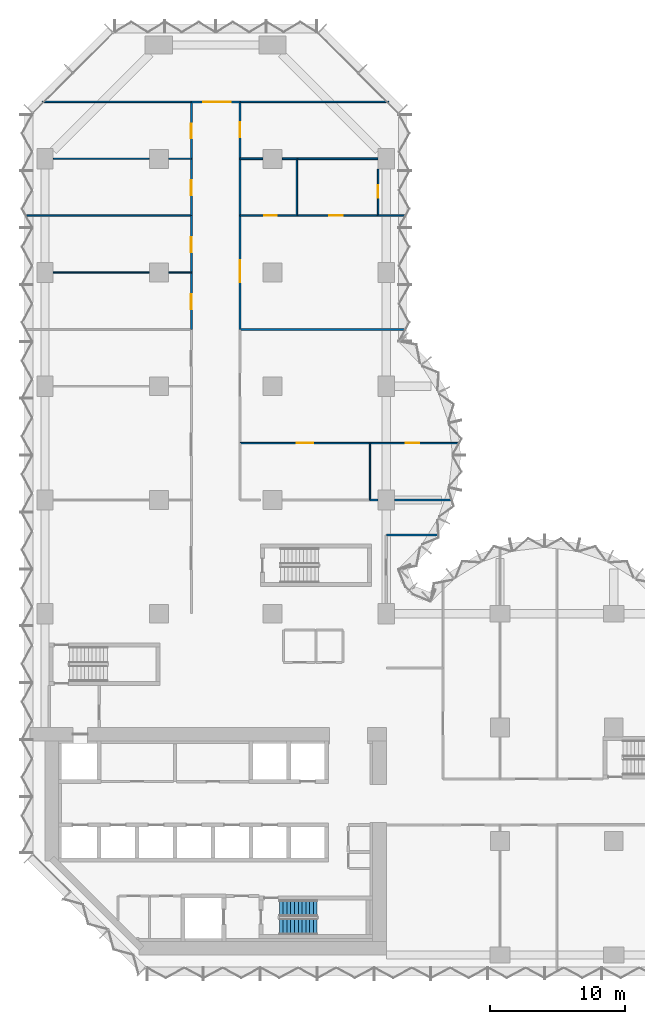
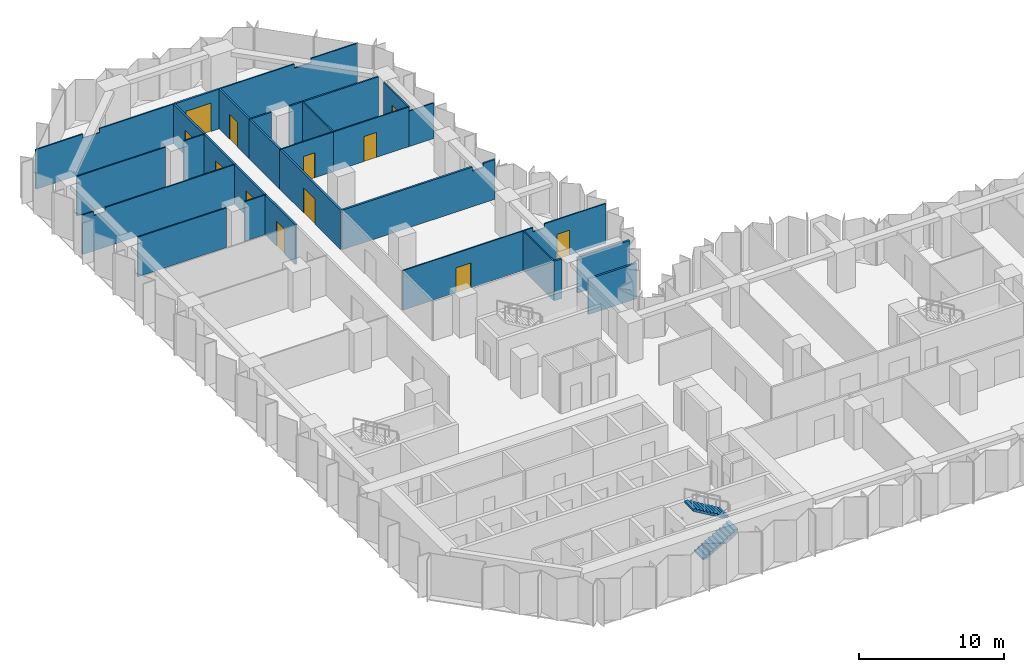
# One storey, part 11 of 15: 30 walls, 12 doors, 2 stair flights, 12 openings, 1 element without a shape of its own.
"""IFC4 building model written with IfcOpenShell, lengths in metres."""

from ifc_helpers import new_model, si_unit, direction, frame, frame_2d, origin, place, context, subcontext, project, spatial, polyline, rectangle, outline, extrude, material, layer, layer_set, type_object, element, fill, aggregate, save


model = new_model("IFC4")

# Units and contexts
model_context = context("Model", 3, precision=1e-05, world=origin(), true_north=direction((0.0, 1.0)))
body_context = subcontext(model_context, "Body", "Model", "MODEL_VIEW")
ifc_project = project(units=[si_unit("LENGTHUNIT", "METRE"), si_unit("AREAUNIT", "SQUARE_METRE"), si_unit("VOLUMEUNIT", "CUBIC_METRE"), si_unit("PLANEANGLEUNIT", "RADIAN"), si_unit("MASSUNIT", "GRAM", prefix="KILO")], contexts=[model_context])

# Site, building, storey
site_placement = place(None, origin())
site = spatial("IfcSite", under=ifc_project, at=site_placement, CompositionType="ELEMENT")
building_placement = place(site_placement, origin())
building = spatial("IfcBuilding", under=site, at=building_placement, Name="Brevane Broadcast Tower", CompositionType="ELEMENT")
storey_placement = place(building_placement, frame((0.0, 0.0, 76.10009765625)))
storey = spatial("IfcBuildingStorey", under=building, at=storey_placement, Name="L17", CompositionType="ELEMENT", Elevation=76.10009765625)

# Walls
ifc_material_1 = material(Name="Gypsum board partition")
ifc_layer_1 = layer(ifc_material_1, 0.10009765625)
ifc_layer_set_1 = layer_set([ifc_layer_1], Name="PARTITION 100 STUD")
wall_type_1 = type_object("IfcWallType", Name="PARTITION 100 STUD", PredefinedType="PARTITIONING", material=ifc_layer_set_1)
wall_1_placement = place(storey_placement, frame((10.800048828125, 63.0, 0.0), z_axis=(0.0, 0.0, 1.0), x_axis=(-1.0, 0.0, 0.0)))
element("IfcWall", 1, at=wall_1_placement, inside=storey, type_object=wall_type_1, Name="Partition G04-054", PredefinedType="PARTITIONING", context=body_context, shape_type="SweptSolid", body=[
    extrude(outline(polyline([(0.0, 0.0), (11.0, 0.0), (11.0, 3.329833984375), (7.265625, 3.329833984375), (7.263671875, 2.97998046875), (5.936279296875, 2.97998046875), (5.934326171875, 3.329833984375), (0.0, 3.329833984375), (0.0, 0.0)])), frame((0.0, 0.050048828125, 0.0), z_axis=(0.0, -1.0, 0.0), x_axis=(1.0, 0.0, 0.0)), (0.0, 0.0, 1.0), 0.10009765625),
])
wall_2_placement = place(storey_placement, frame((25.39990234375, 63.0, 0.0), z_axis=(0.0, 0.0, 1.0), x_axis=(-1.0, 0.0, 0.0)))
element("IfcWall", 2, at=wall_2_placement, inside=storey, type_object=wall_type_1, Name="Partition G04-055", PredefinedType="PARTITIONING", context=body_context, shape_type="SweptSolid", body=[
    extrude(outline(polyline([(0.0, 0.0), (11.0, 0.0), (11.0, 3.329833984375), (5.065673828125, 3.329833984375), (5.063720703125, 2.97998046875), (3.736328125, 2.97998046875), (3.734375, 3.329833984375), (0.0, 3.329833984375), (0.0, 0.0)])), frame((0.0, 0.050048828125, 0.0), z_axis=(0.0, -1.0, 0.0), x_axis=(1.0, 0.0, 0.0)), (0.0, 0.0, 1.0), 0.10009765625),
])
wall_3_placement = place(storey_placement, frame((0.6201171875, 50.39990234375, 0.0), z_axis=(0.0, 0.0, 1.0), x_axis=(1.0, 0.0, 0.0)))
element("IfcWall", 3, at=wall_3_placement, inside=storey, type_object=wall_type_1, Name="Partition G04-061", PredefinedType="PARTITIONING", context=body_context, shape_type="SweptSolid", body=[
    extrude(rectangle(XDim=7.059814453125, YDim=0.10009765625, at=frame_2d((3.52978515625, 0.0))), origin(), (0.0, 0.0, 1.0), 3.329833984375),
])
wall_4_placement = place(storey_placement, frame((9.1201171875, 50.39990234375, 0.0), z_axis=(0.0, 0.0, 1.0), x_axis=(1.0, 0.0, 0.0)))
element("IfcWall", 4, at=wall_4_placement, inside=storey, type_object=wall_type_1, Name="Partition G04-062", PredefinedType="PARTITIONING", context=body_context, shape_type="SweptSolid", body=[
    extrude(rectangle(XDim=1.679931640625, YDim=0.10009765625, at=frame_2d((0.83984375, 0.0))), origin(), (0.0, 0.0, 1.0), 3.329833984375),
])
wall_5_placement = place(storey_placement, frame((-1.364990234375, 54.60009765625, 0.0), z_axis=(0.0, 0.0, 1.0), x_axis=(1.0, 0.0, 0.0)))
element("IfcWall", 5, at=wall_5_placement, inside=storey, type_object=wall_type_1, Name="Partition G04-063", PredefinedType="PARTITIONING", context=body_context, shape_type="SweptSolid", body=[
    extrude(outline(polyline([(0.0, 0.0), (12.1650390625, 0.0), (12.1650390625, 3.329833984375), (1.81494140625, 3.329833984375), (1.81298828125, 2.97998046875), (0.9169921875, 2.97998046875), (0.9150390625, 3.329833984375), (0.264892578125, 3.329833984375), (0.0, 3.329833984375), (0.0, 0.0)])), frame((0.0, 0.050048828125, 0.0), z_axis=(0.0, -1.0, 0.0), x_axis=(1.0, 0.0, 0.0)), (0.0, 0.0, 1.0), 0.10009765625),
])
wall_6_placement = place(storey_placement, frame((0.6201171875, 58.800048828125, 0.0), z_axis=(0.0, 0.0, 1.0), x_axis=(1.0, 0.0, 0.0)))
element("IfcWall", 6, at=wall_6_placement, inside=storey, type_object=wall_type_1, Name="Partition G04-064", PredefinedType="PARTITIONING", context=body_context, shape_type="SweptSolid", body=[
    extrude(rectangle(XDim=7.059814453125, YDim=0.10009765625, at=frame_2d((3.52978515625, 0.0))), origin(), (0.0, 0.0, 1.0), 3.329833984375),
])
wall_7_placement = place(storey_placement, frame((9.1201171875, 58.800048828125, 0.0), z_axis=(0.0, 0.0, 1.0), x_axis=(1.0, 0.0, 0.0)))
element("IfcWall", 7, at=wall_7_placement, inside=storey, type_object=wall_type_1, Name="Partition G04-065", PredefinedType="PARTITIONING", context=body_context, shape_type="SweptSolid", body=[
    extrude(rectangle(XDim=1.679931640625, YDim=0.10009765625, at=frame_2d((0.83984375, 0.0))), origin(), (0.0, 0.0, 1.0), 3.329833984375),
])

# Wall, opening, door
wall_8_placement = place(storey_placement, frame((24.0, 37.800048828125, 0.0), z_axis=(0.0, 0.0, 1.0), x_axis=(-1.0, 0.0, 0.0)))
wall_8 = element("IfcWall", 8, at=wall_8_placement, inside=storey, type_object=wall_type_1, Name="Partition G04-066", PredefinedType="PARTITIONING", context=body_context, shape_type="SweptSolid", body=[
    extrude(rectangle(XDim=9.60009765625, YDim=0.10009765625, at=frame_2d((4.800048828125, 0.0))), origin(), (0.0, 0.0, 1.0), 3.329833984375),
])
opening_1_placement = place(wall_8_placement, frame((4.199951171875, 0.0, 0.0)))
opening_1 = element("IfcOpeningElement", 9, at=opening_1_placement, cuts=wall_8, Name="Opening D10-023", PredefinedType="OPENING", context=body_context, shape_type="SweptSolid", body=[
    extrude(rectangle(XDim=1.199951171875, YDim=2.10009765625, at=frame_2d((0.60009765625, 1.050048828125))), frame((0.0, 0.06005859375, 0.0), z_axis=(0.0, -1.0, 0.0), x_axis=(1.0, 0.0, 0.0)), (0.0, 0.0, 1.0), 0.1201171875),
])
ifc_material_2 = material(Name="Timber door leaf", Category="wood")
door_type_1 = type_object("IfcDoorType", Name="DOOR SINGLE 1200 INTERNAL", OperationType="SINGLE_SWING_LEFT", PredefinedType="DOOR", material=ifc_material_2)
door_1_placement = place(opening_1_placement, origin())
door_1 = element("IfcDoor", 10, at=door_1_placement, inside=storey, type_object=door_type_1, Name="Door D10-023", OperationType="SINGLE_SWING_LEFT", OverallHeight=2.10009765625, OverallWidth=1.199951171875, PredefinedType="DOOR", context=body_context, shape_type="SweptSolid", body=[
    extrude(rectangle(XDim=1.199951171875, YDim=2.10009765625, at=frame_2d((0.60009765625, 1.050048828125))), frame((0.0, 0.02490234375, 0.0), z_axis=(0.0, -1.0, 0.0), x_axis=(1.0, 0.0, 0.0)), (0.0, 0.0, 1.0), 0.050048828125),
])
fill(opening_1, door_1)

wall_9_placement = place(storey_placement, frame((30.52587890625, 37.800048828125, 0.0), z_axis=(0.0, 0.0, 1.0), x_axis=(-1.0, 0.0, 0.0)))
wall_9 = element("IfcWall", 11, at=wall_9_placement, inside=storey, type_object=wall_type_1, Name="Partition G04-067", PredefinedType="PARTITIONING", context=body_context, shape_type="SweptSolid", body=[
    extrude(outline(polyline([(0.0, 0.0), (6.52587890625, 0.0), (6.52587890625, 3.329833984375), (5.77587890625, 3.329833984375), (5.77392578125, 2.97998046875), (4.8779296875, 2.97998046875), (4.8759765625, 3.329833984375), (0.283203125, 3.329833984375), (0.0, 3.329833984375), (0.0, 0.0)])), frame((0.0, 0.050048828125, 0.0), z_axis=(0.0, -1.0, 0.0), x_axis=(1.0, 0.0, 0.0)), (0.0, 0.0, 1.0), 0.10009765625),
])
opening_2_placement = place(wall_9_placement, frame((2.88330078125, 0.0, 0.0)))
opening_2 = element("IfcOpeningElement", 12, at=opening_2_placement, cuts=wall_9, Name="Opening D10-024", PredefinedType="OPENING", context=body_context, shape_type="SweptSolid", body=[
    extrude(rectangle(XDim=1.0, YDim=2.10009765625, at=frame_2d((0.5, 1.050048828125))), frame((0.0, 0.06005859375, 0.0), z_axis=(0.0, -1.0, 0.0), x_axis=(1.0, 0.0, 0.0)), (0.0, 0.0, 1.0), 0.1201171875),
])
door_type_2 = type_object("IfcDoorType", Name="DOOR SINGLE 1000 INTERNAL", OperationType="SINGLE_SWING_LEFT", PredefinedType="DOOR", material=ifc_material_2)
door_2_placement = place(opening_2_placement, origin())
door_2 = element("IfcDoor", 13, at=door_2_placement, inside=storey, type_object=door_type_2, Name="Door D10-024", OperationType="SINGLE_SWING_LEFT", OverallHeight=2.10009765625, OverallWidth=1.0, PredefinedType="DOOR", context=body_context, shape_type="SweptSolid", body=[
    extrude(rectangle(XDim=1.0, YDim=2.10009765625, at=frame_2d((0.5, 1.050048828125))), frame((0.0, 0.02490234375, 0.0), z_axis=(0.0, -1.0, 0.0), x_axis=(1.0, 0.0, 0.0)), (0.0, 0.0, 1.0), 0.050048828125),
])
fill(opening_2, door_2)

# Wall
wall_10_placement = place(storey_placement, frame((24.0, 37.800048828125, 0.0), z_axis=(0.0, 0.0, 1.0), x_axis=(0.0, -1.0, 0.0)))
element("IfcWall", 14, at=wall_10_placement, inside=storey, type_object=wall_type_1, Name="Partition G04-069", PredefinedType="PARTITIONING", context=body_context, shape_type="SweptSolid", body=[
    extrude(rectangle(XDim=4.199951171875, YDim=0.10009765625, at=frame_2d((2.10009765625, 0.0))), origin(), (0.0, 0.0, 1.0), 3.329833984375),
])

# Wall, opening, door
wall_11_placement = place(storey_placement, frame((14.39990234375, 54.60009765625, 0.0), z_axis=(0.0, 0.0, 1.0), x_axis=(1.0, 0.0, 0.0)))
wall_11 = element("IfcWall", 15, at=wall_11_placement, inside=storey, type_object=wall_type_1, Name="Partition G04-070", PredefinedType="PARTITIONING", context=body_context, shape_type="SweptSolid", body=[
    extrude(rectangle(XDim=4.2001953125, YDim=0.10009765625, at=frame_2d((2.10009765625, 0.0))), origin(), (0.0, 0.0, 1.0), 3.329833984375),
])
opening_3_placement = place(wall_11_placement, frame((1.800048828125, 0.0, 0.0)))
opening_3 = element("IfcOpeningElement", 16, at=opening_3_placement, cuts=wall_11, Name="Opening D10-026", PredefinedType="OPENING", context=body_context, shape_type="SweptSolid", body=[
    extrude(rectangle(XDim=0.89990234375, YDim=2.10009765625, at=frame_2d((0.449951171875, 1.050048828125))), frame((0.0, 0.06005859375, 0.0), z_axis=(0.0, -1.0, 0.0), x_axis=(1.0, 0.0, 0.0)), (0.0, 0.0, 1.0), 0.1201171875),
])
door_type_3 = type_object("IfcDoorType", Name="DOOR SINGLE 900 INTERNAL", OperationType="SINGLE_SWING_LEFT", PredefinedType="DOOR", material=ifc_material_2)
door_3_placement = place(opening_3_placement, origin())
door_3 = element("IfcDoor", 17, at=door_3_placement, inside=storey, type_object=door_type_3, Name="Door D10-026", OperationType="SINGLE_SWING_LEFT", OverallHeight=2.10009765625, OverallWidth=0.89990234375, PredefinedType="DOOR", context=body_context, shape_type="SweptSolid", body=[
    extrude(rectangle(XDim=0.89990234375, YDim=2.10009765625, at=frame_2d((0.449951171875, 1.050048828125))), frame((0.0, 0.02490234375, 0.0), z_axis=(0.0, -1.0, 0.0), x_axis=(1.0, 0.0, 0.0)), (0.0, 0.0, 1.0), 0.050048828125),
])
fill(opening_3, door_3)

wall_12_placement = place(storey_placement, frame((18.60009765625, 54.60009765625, 0.0), z_axis=(0.0, 0.0, 1.0), x_axis=(1.0, 0.0, 0.0)))
wall_12 = element("IfcWall", 18, at=wall_12_placement, inside=storey, type_object=wall_type_1, Name="Partition G04-071", PredefinedType="PARTITIONING", context=body_context, shape_type="SweptSolid", body=[
    extrude(rectangle(XDim=6.0, YDim=0.10009765625, at=frame_2d((3.0, 0.0))), origin(), (0.0, 0.0, 1.0), 3.329833984375),
])
opening_4_placement = place(wall_12_placement, frame((2.39990234375, 0.0, 0.0)))
opening_4 = element("IfcOpeningElement", 19, at=opening_4_placement, cuts=wall_12, Name="Opening D10-027", PredefinedType="OPENING", context=body_context, shape_type="SweptSolid", body=[
    extrude(rectangle(XDim=1.0, YDim=2.10009765625, at=frame_2d((0.5, 1.050048828125))), frame((0.0, 0.06005859375, 0.0), z_axis=(0.0, -1.0, 0.0), x_axis=(1.0, 0.0, 0.0)), (0.0, 0.0, 1.0), 0.1201171875),
])
door_4_placement = place(opening_4_placement, origin())
door_4 = element("IfcDoor", 20, at=door_4_placement, inside=storey, type_object=door_type_2, Name="Door D10-027", OperationType="SINGLE_SWING_LEFT", OverallHeight=2.10009765625, OverallWidth=1.0, PredefinedType="DOOR", context=body_context, shape_type="SweptSolid", body=[
    extrude(rectangle(XDim=1.0, YDim=2.10009765625, at=frame_2d((0.5, 1.050048828125))), frame((0.0, 0.02490234375, 0.0), z_axis=(0.0, -1.0, 0.0), x_axis=(1.0, 0.0, 0.0)), (0.0, 0.0, 1.0), 0.050048828125),
])
fill(opening_4, door_4)

# Walls
wall_13_placement = place(storey_placement, frame((24.60009765625, 54.60009765625, 0.0), z_axis=(0.0, 0.0, 1.0), x_axis=(1.0, 0.0, 0.0)))
element("IfcWall", 21, at=wall_13_placement, inside=storey, type_object=wall_type_1, Name="Partition G04-072", PredefinedType="PARTITIONING", context=body_context, shape_type="SweptSolid", body=[
    extrude(rectangle(XDim=1.96484375, YDim=0.10009765625, at=frame_2d((0.982421875, 0.0))), origin(), (0.0, 0.0, 1.0), 2.97998046875),
])
wall_14_placement = place(storey_placement, frame((18.60009765625, 58.800048828125, 0.0), z_axis=(0.0, 0.0, 1.0), x_axis=(0.0, -1.0, 0.0)))
element("IfcWall", 22, at=wall_14_placement, inside=storey, type_object=wall_type_1, Name="Partition G04-073", PredefinedType="PARTITIONING", context=body_context, shape_type="SweptSolid", body=[
    extrude(rectangle(XDim=4.199951171875, YDim=0.10009765625, at=frame_2d((2.10009765625, 0.0))), origin(), (0.0, 0.0, 1.0), 3.329833984375),
])

# Wall, opening, door
wall_15_placement = place(storey_placement, frame((24.60009765625, 58.030029296875, 0.0), z_axis=(0.0, 0.0, 1.0), x_axis=(0.0, -1.0, 0.0)))
wall_15 = element("IfcWall", 23, at=wall_15_placement, inside=storey, type_object=wall_type_1, Name="Partition G04-076", PredefinedType="PARTITIONING", context=body_context, shape_type="SweptSolid", body=[
    extrude(rectangle(XDim=3.429931640625, YDim=0.10009765625, at=frame_2d((1.71484375, 0.0))), origin(), (0.0, 0.0, 1.0), 3.329833984375),
])
opening_5_placement = place(wall_15_placement, frame((1.199951171875, 0.0, 0.0)))
opening_5 = element("IfcOpeningElement", 24, at=opening_5_placement, cuts=wall_15, Name="Opening D10-028", PredefinedType="OPENING", context=body_context, shape_type="SweptSolid", body=[
    extrude(rectangle(XDim=0.89990234375, YDim=2.10009765625, at=frame_2d((0.449951171875, 1.050048828125))), frame((0.0, 0.06005859375, 0.0), z_axis=(0.0, -1.0, 0.0), x_axis=(1.0, 0.0, 0.0)), (0.0, 0.0, 1.0), 0.1201171875),
])
door_5_placement = place(opening_5_placement, origin())
door_5 = element("IfcDoor", 25, at=door_5_placement, inside=storey, type_object=door_type_3, Name="Door D10-028", OperationType="SINGLE_SWING_LEFT", OverallHeight=2.10009765625, OverallWidth=0.89990234375, PredefinedType="DOOR", context=body_context, shape_type="SweptSolid", body=[
    extrude(rectangle(XDim=0.89990234375, YDim=2.10009765625, at=frame_2d((0.449951171875, 1.050048828125))), frame((0.0, 0.02490234375, 0.0), z_axis=(0.0, -1.0, 0.0), x_axis=(1.0, 0.0, 0.0)), (0.0, 0.0, 1.0), 0.050048828125),
])
fill(opening_5, door_5)

# Walls
ifc_layer_2 = layer(ifc_material_1, 0.125)
ifc_layer_set_2 = layer_set([ifc_layer_2], Name="PARTITION 125 ACOUSTIC")
wall_type_2 = type_object("IfcWallType", Name="PARTITION 125 ACOUSTIC", PredefinedType="PARTITIONING", material=ifc_layer_set_2)
wall_16_placement = place(storey_placement, frame((14.39990234375, 58.800048828125, 0.0), z_axis=(0.0, 0.0, 1.0), x_axis=(1.0, 0.0, 0.0)))
element("IfcWall", 26, at=wall_16_placement, inside=storey, type_object=wall_type_2, Name="Partition G04-074", PredefinedType="PARTITIONING", context=body_context, shape_type="SweptSolid", body=[
    extrude(rectangle(XDim=1.68017578125, YDim=0.125, at=frame_2d((0.840087890625, 0.0))), origin(), (0.0, 0.0, 1.0), 3.329833984375),
])
wall_17_placement = place(storey_placement, frame((17.52001953125, 58.800048828125, 0.0), z_axis=(0.0, 0.0, 1.0), x_axis=(1.0, 0.0, 0.0)))
element("IfcWall", 27, at=wall_17_placement, inside=storey, type_object=wall_type_2, Name="Partition G04-075", PredefinedType="PARTITIONING", context=body_context, shape_type="SweptSolid", body=[
    extrude(rectangle(XDim=1.080078125, YDim=0.125, at=frame_2d((0.5400390625, 0.0))), origin(), (0.0, 0.0, 1.0), 3.329833984375),
])
wall_18_placement = place(storey_placement, frame((18.60009765625, 58.800048828125, 0.0), z_axis=(0.0, 0.0, 1.0), x_axis=(1.0, 0.0, 0.0)))
element("IfcWall", 28, at=wall_18_placement, inside=storey, type_object=wall_type_2, Name="Partition G04-077", PredefinedType="PARTITIONING", context=body_context, shape_type="SweptSolid", body=[
    extrude(rectangle(XDim=5.97998046875, YDim=0.125, at=frame_2d((2.989990234375, 0.0))), origin(), (0.0, 0.0, 1.0), 3.329833984375),
])
ifc_layer_3 = layer(ifc_material_1, 0.14990234375)
ifc_layer_set_3 = layer_set([ifc_layer_3], Name="PARTITION 150 EI 60")
wall_type_3 = type_object("IfcWallType", Name="PARTITION 150 EI 60", PredefinedType="PARTITIONING", material=ifc_layer_set_3)
wall_19_placement = place(storey_placement, frame((25.199951171875, 31.0, 0.0), z_axis=(0.0, 0.0, 1.0), x_axis=(1.0, 0.0, 0.0)))
element("IfcWall", 29, at=wall_19_placement, inside=storey, type_object=wall_type_3, Name="Partition G04-006", PredefinedType="PARTITIONING", context=body_context, shape_type="SweptSolid", body=[
    extrude(rectangle(XDim=3.80615234375, YDim=0.14990234375, at=frame_2d((1.903076171875, 0.0))), origin(), (0.0, 0.0, 1.0), 2.97998046875),
])
wall_20_placement = place(storey_placement, frame((24.0, 33.60009765625, 0.0), z_axis=(0.0, 0.0, 1.0), x_axis=(1.0, 0.0, 0.0)))
element("IfcWall", 30, at=wall_20_placement, inside=storey, type_object=wall_type_3, Name="Partition G04-040", PredefinedType="PARTITIONING", context=body_context, shape_type="SweptSolid", body=[
    extrude(rectangle(XDim=0.580078125, YDim=0.14990234375, at=frame_2d((0.2900390625, 0.0))), origin(), (0.0, 0.0, 1.0), 3.329833984375),
])
wall_21_placement = place(storey_placement, frame((25.820068359375, 33.60009765625, 0.0), z_axis=(0.0, 0.0, 1.0), x_axis=(1.0, 0.0, 0.0)))
element("IfcWall", 31, at=wall_21_placement, inside=storey, type_object=wall_type_3, Name="Partition G04-041", PredefinedType="PARTITIONING", context=body_context, shape_type="SweptSolid", body=[
    extrude(rectangle(XDim=4.168212890625, YDim=0.14990234375, at=frame_2d((2.083984375, 0.0))), origin(), (0.0, 0.0, 1.0), 2.97998046875),
])

# Wall, opening, door
wall_22_placement = place(storey_placement, frame((10.800048828125, 63.0, 0.0), z_axis=(0.0, 0.0, 1.0), x_axis=(1.0, 0.0, 0.0)))
wall_22 = element("IfcWall", 32, at=wall_22_placement, inside=storey, type_object=wall_type_3, Name="Partition G04-042", PredefinedType="PARTITIONING", context=body_context, shape_type="SweptSolid", body=[
    extrude(rectangle(XDim=3.599853515625, YDim=0.14990234375, at=frame_2d((1.7998046875, 0.0))), origin(), (0.0, 0.0, 1.0), 3.329833984375),
])
opening_6_placement = place(wall_22_placement, frame((0.89990234375, 0.0, 0.0)))
opening_6 = element("IfcOpeningElement", 33, at=opening_6_placement, cuts=wall_22, Name="Opening D10-014", PredefinedType="OPENING", context=body_context, shape_type="SweptSolid", body=[
    extrude(rectangle(XDim=2.0, YDim=2.39990234375, at=frame_2d((1.0, 1.199951171875))), frame((0.0, 0.0849609375, 0.0), z_axis=(0.0, -1.0, 0.0), x_axis=(1.0, 0.0, 0.0)), (0.0, 0.0, 1.0), 0.169921875),
])
ifc_material_3 = material(Name="Fire-rated timber door leaf", Category="wood")
door_type_4 = type_object("IfcDoorType", Name="DOOR DOUBLE 2000 FD30S", OperationType="DOUBLE_DOOR_SINGLE_SWING", PredefinedType="DOOR", material=ifc_material_3)
door_6_placement = place(opening_6_placement, origin())
door_6 = element("IfcDoor", 34, at=door_6_placement, inside=storey, type_object=door_type_4, Name="Door D10-014", OperationType="DOUBLE_DOOR_SINGLE_SWING", OverallHeight=2.39990234375, OverallWidth=2.0, PredefinedType="DOOR", context=body_context, shape_type="SweptSolid", body=[
    extrude(rectangle(XDim=2.0, YDim=2.39990234375, at=frame_2d((1.0, 1.199951171875))), frame((0.0, 0.02490234375, 0.0), z_axis=(0.0, -1.0, 0.0), x_axis=(1.0, 0.0, 0.0)), (0.0, 0.0, 1.0), 0.050048828125),
])
fill(opening_6, door_6)

wall_23_placement = place(storey_placement, frame((10.800048828125, 46.199951171875, 0.0), z_axis=(0.0, 0.0, 1.0), x_axis=(0.0, 1.0, 0.0)))
wall_23 = element("IfcWall", 35, at=wall_23_placement, inside=storey, type_object=wall_type_3, Name="Partition G04-045", PredefinedType="PARTITIONING", context=body_context, shape_type="SweptSolid", body=[
    extrude(rectangle(XDim=4.199951171875, YDim=0.14990234375, at=frame_2d((2.10009765625, 0.0))), origin(), (0.0, 0.0, 1.0), 3.329833984375),
])
opening_7_placement = place(wall_23_placement, frame((1.5, 0.0, 0.0)))
opening_7 = element("IfcOpeningElement", 36, at=opening_7_placement, cuts=wall_23, Name="Opening D10-018", PredefinedType="OPENING", context=body_context, shape_type="SweptSolid", body=[
    extrude(rectangle(XDim=1.10009765625, YDim=2.10009765625, at=frame_2d((0.550048828125, 1.050048828125))), frame((0.0, 0.0849609375, 0.0), z_axis=(0.0, -1.0, 0.0), x_axis=(1.0, 0.0, 0.0)), (0.0, 0.0, 1.0), 0.169921875),
])
door_type_5 = type_object("IfcDoorType", Name="DOOR SINGLE 1100 FD30S", OperationType="SINGLE_SWING_LEFT", PredefinedType="DOOR", material=ifc_material_3)
door_7_placement = place(opening_7_placement, origin())
door_7 = element("IfcDoor", 37, at=door_7_placement, inside=storey, type_object=door_type_5, Name="Door D10-018", OperationType="SINGLE_SWING_LEFT", OverallHeight=2.10009765625, OverallWidth=1.10009765625, PredefinedType="DOOR", context=body_context, shape_type="SweptSolid", body=[
    extrude(rectangle(XDim=1.10009765625, YDim=2.10009765625, at=frame_2d((0.550048828125, 1.050048828125))), frame((0.0, 0.02490234375, 0.0), z_axis=(0.0, -1.0, 0.0), x_axis=(1.0, 0.0, 0.0)), (0.0, 0.0, 1.0), 0.050048828125),
])
fill(opening_7, door_7)

wall_24_placement = place(storey_placement, frame((10.800048828125, 50.39990234375, 0.0), z_axis=(0.0, 0.0, 1.0), x_axis=(0.0, 1.0, 0.0)))
wall_24 = element("IfcWall", 38, at=wall_24_placement, inside=storey, type_object=wall_type_3, Name="Partition G04-046", PredefinedType="PARTITIONING", context=body_context, shape_type="SweptSolid", body=[
    extrude(rectangle(XDim=4.2001953125, YDim=0.14990234375, at=frame_2d((2.10009765625, 0.0))), origin(), (0.0, 0.0, 1.0), 3.329833984375),
])
opening_8_placement = place(wall_24_placement, frame((1.5, 0.0, 0.0)))
opening_8 = element("IfcOpeningElement", 39, at=opening_8_placement, cuts=wall_24, Name="Opening D10-019", PredefinedType="OPENING", context=body_context, shape_type="SweptSolid", body=[
    extrude(rectangle(XDim=1.10009765625, YDim=2.10009765625, at=frame_2d((0.550048828125, 1.050048828125))), frame((0.0, 0.0849609375, 0.0), z_axis=(0.0, -1.0, 0.0), x_axis=(1.0, 0.0, 0.0)), (0.0, 0.0, 1.0), 0.169921875),
])
door_8_placement = place(opening_8_placement, origin())
door_8 = element("IfcDoor", 40, at=door_8_placement, inside=storey, type_object=door_type_5, Name="Door D10-019", OperationType="SINGLE_SWING_LEFT", OverallHeight=2.10009765625, OverallWidth=1.10009765625, PredefinedType="DOOR", context=body_context, shape_type="SweptSolid", body=[
    extrude(rectangle(XDim=1.10009765625, YDim=2.10009765625, at=frame_2d((0.550048828125, 1.050048828125))), frame((0.0, 0.02490234375, 0.0), z_axis=(0.0, -1.0, 0.0), x_axis=(1.0, 0.0, 0.0)), (0.0, 0.0, 1.0), 0.050048828125),
])
fill(opening_8, door_8)

wall_25_placement = place(storey_placement, frame((10.800048828125, 54.60009765625, 0.0), z_axis=(0.0, 0.0, 1.0), x_axis=(0.0, 1.0, 0.0)))
wall_25 = element("IfcWall", 41, at=wall_25_placement, inside=storey, type_object=wall_type_3, Name="Partition G04-047", PredefinedType="PARTITIONING", context=body_context, shape_type="SweptSolid", body=[
    extrude(rectangle(XDim=4.199951171875, YDim=0.14990234375, at=frame_2d((2.10009765625, 0.0))), origin(), (0.0, 0.0, 1.0), 3.329833984375),
])
opening_9_placement = place(wall_25_placement, frame((1.5, 0.0, 0.0)))
opening_9 = element("IfcOpeningElement", 42, at=opening_9_placement, cuts=wall_25, Name="Opening D10-020", PredefinedType="OPENING", context=body_context, shape_type="SweptSolid", body=[
    extrude(rectangle(XDim=1.10009765625, YDim=2.10009765625, at=frame_2d((0.550048828125, 1.050048828125))), frame((0.0, 0.0849609375, 0.0), z_axis=(0.0, -1.0, 0.0), x_axis=(1.0, 0.0, 0.0)), (0.0, 0.0, 1.0), 0.169921875),
])
door_9_placement = place(opening_9_placement, origin())
door_9 = element("IfcDoor", 43, at=door_9_placement, inside=storey, type_object=door_type_5, Name="Door D10-020", OperationType="SINGLE_SWING_LEFT", OverallHeight=2.10009765625, OverallWidth=1.10009765625, PredefinedType="DOOR", context=body_context, shape_type="SweptSolid", body=[
    extrude(rectangle(XDim=1.10009765625, YDim=2.10009765625, at=frame_2d((0.550048828125, 1.050048828125))), frame((0.0, 0.02490234375, 0.0), z_axis=(0.0, -1.0, 0.0), x_axis=(1.0, 0.0, 0.0)), (0.0, 0.0, 1.0), 0.050048828125),
])
fill(opening_9, door_9)

wall_26_placement = place(storey_placement, frame((10.800048828125, 58.800048828125, 0.0), z_axis=(0.0, 0.0, 1.0), x_axis=(0.0, 1.0, 0.0)))
wall_26 = element("IfcWall", 44, at=wall_26_placement, inside=storey, type_object=wall_type_3, Name="Partition G04-048", PredefinedType="PARTITIONING", context=body_context, shape_type="SweptSolid", body=[
    extrude(rectangle(XDim=4.199951171875, YDim=0.14990234375, at=frame_2d((2.10009765625, 0.0))), origin(), (0.0, 0.0, 1.0), 3.329833984375),
])
opening_10_placement = place(wall_26_placement, frame((1.5, 0.0, 0.0)))
opening_10 = element("IfcOpeningElement", 45, at=opening_10_placement, cuts=wall_26, Name="Opening D10-021", PredefinedType="OPENING", context=body_context, shape_type="SweptSolid", body=[
    extrude(rectangle(XDim=1.10009765625, YDim=2.10009765625, at=frame_2d((0.550048828125, 1.050048828125))), frame((0.0, 0.0849609375, 0.0), z_axis=(0.0, -1.0, 0.0), x_axis=(1.0, 0.0, 0.0)), (0.0, 0.0, 1.0), 0.169921875),
])
door_10_placement = place(opening_10_placement, origin())
door_10 = element("IfcDoor", 46, at=door_10_placement, inside=storey, type_object=door_type_5, Name="Door D10-021", OperationType="SINGLE_SWING_LEFT", OverallHeight=2.10009765625, OverallWidth=1.10009765625, PredefinedType="DOOR", context=body_context, shape_type="SweptSolid", body=[
    extrude(rectangle(XDim=1.10009765625, YDim=2.10009765625, at=frame_2d((0.550048828125, 1.050048828125))), frame((0.0, 0.02490234375, 0.0), z_axis=(0.0, -1.0, 0.0), x_axis=(1.0, 0.0, 0.0)), (0.0, 0.0, 1.0), 0.050048828125),
])
fill(opening_10, door_10)

wall_27_placement = place(storey_placement, frame((14.39990234375, 54.60009765625, 0.0), z_axis=(0.0, 0.0, 1.0), x_axis=(0.0, -1.0, 0.0)))
wall_27 = element("IfcWall", 47, at=wall_27_placement, inside=storey, type_object=wall_type_3, Name="Partition G04-051", PredefinedType="PARTITIONING", context=body_context, shape_type="SweptSolid", body=[
    extrude(rectangle(XDim=8.400146484375, YDim=0.14990234375, at=frame_2d((4.2001953125, 0.0))), origin(), (0.0, 0.0, 1.0), 3.329833984375),
])
opening_11_placement = place(wall_27_placement, frame((3.300048828125, 0.0, 0.0)))
opening_11 = element("IfcOpeningElement", 48, at=opening_11_placement, cuts=wall_27, Name="Opening D10-025", PredefinedType="OPENING", context=body_context, shape_type="SweptSolid", body=[
    extrude(rectangle(XDim=1.60009765625, YDim=2.10009765625, at=frame_2d((0.800048828125, 1.050048828125))), frame((0.0, 0.0849609375, 0.0), z_axis=(0.0, -1.0, 0.0), x_axis=(1.0, 0.0, 0.0)), (0.0, 0.0, 1.0), 0.169921875),
])
door_type_6 = type_object("IfcDoorType", Name="DOOR DOUBLE 1600 FD30S", OperationType="DOUBLE_DOOR_SINGLE_SWING", PredefinedType="DOOR", material=ifc_material_3)
door_11_placement = place(opening_11_placement, origin())
door_11 = element("IfcDoor", 49, at=door_11_placement, inside=storey, type_object=door_type_6, Name="Door D10-025", OperationType="DOUBLE_DOOR_SINGLE_SWING", OverallHeight=2.10009765625, OverallWidth=1.60009765625, PredefinedType="DOOR", context=body_context, shape_type="SweptSolid", body=[
    extrude(rectangle(XDim=1.60009765625, YDim=2.10009765625, at=frame_2d((0.800048828125, 1.050048828125))), frame((0.0, 0.02490234375, 0.0), z_axis=(0.0, -1.0, 0.0), x_axis=(1.0, 0.0, 0.0)), (0.0, 0.0, 1.0), 0.050048828125),
])
fill(opening_11, door_11)

# Wall
wall_28_placement = place(storey_placement, frame((14.39990234375, 58.800048828125, 0.0), z_axis=(0.0, 0.0, 1.0), x_axis=(0.0, -1.0, 0.0)))
element("IfcWall", 50, at=wall_28_placement, inside=storey, type_object=wall_type_3, Name="Partition G04-052", PredefinedType="PARTITIONING", context=body_context, shape_type="SweptSolid", body=[
    extrude(rectangle(XDim=4.199951171875, YDim=0.14990234375, at=frame_2d((2.10009765625, 0.0))), origin(), (0.0, 0.0, 1.0), 3.329833984375),
])

# Wall, opening, door
wall_29_placement = place(storey_placement, frame((14.39990234375, 63.0, 0.0), z_axis=(0.0, 0.0, 1.0), x_axis=(0.0, -1.0, 0.0)))
wall_29 = element("IfcWall", 51, at=wall_29_placement, inside=storey, type_object=wall_type_3, Name="Partition G04-053", PredefinedType="PARTITIONING", context=body_context, shape_type="SweptSolid", body=[
    extrude(rectangle(XDim=4.199951171875, YDim=0.14990234375, at=frame_2d((2.10009765625, 0.0))), origin(), (0.0, 0.0, 1.0), 3.329833984375),
])
opening_12_placement = place(wall_29_placement, frame((1.5, 0.0, 0.0)))
opening_12 = element("IfcOpeningElement", 52, at=opening_12_placement, cuts=wall_29, Name="Opening D10-029", PredefinedType="OPENING", context=body_context, shape_type="SweptSolid", body=[
    extrude(rectangle(XDim=1.10009765625, YDim=2.10009765625, at=frame_2d((0.550048828125, 1.050048828125))), frame((0.0, 0.0849609375, 0.0), z_axis=(0.0, -1.0, 0.0), x_axis=(1.0, 0.0, 0.0)), (0.0, 0.0, 1.0), 0.169921875),
])
door_12_placement = place(opening_12_placement, origin())
door_12 = element("IfcDoor", 53, at=door_12_placement, inside=storey, type_object=door_type_5, Name="Door D10-029", OperationType="SINGLE_SWING_LEFT", OverallHeight=2.10009765625, OverallWidth=1.10009765625, PredefinedType="DOOR", context=body_context, shape_type="SweptSolid", body=[
    extrude(rectangle(XDim=1.10009765625, YDim=2.10009765625, at=frame_2d((0.550048828125, 1.050048828125))), frame((0.0, 0.02490234375, 0.0), z_axis=(0.0, -1.0, 0.0), x_axis=(1.0, 0.0, 0.0)), (0.0, 0.0, 1.0), 0.050048828125),
])
fill(opening_12, door_12)

# Wall
wall_30_placement = place(storey_placement, frame((14.39990234375, 46.199951171875, 0.0), z_axis=(0.0, 0.0, 1.0), x_axis=(1.0, 0.0, 0.0)))
element("IfcWall", 54, at=wall_30_placement, inside=storey, type_object=wall_type_3, Name="Partition G04-068", PredefinedType="PARTITIONING", context=body_context, shape_type="SweptSolid", body=[
    extrude(outline(polyline([(0.0, 0.0), (12.1650390625, 0.0), (12.1650390625, 3.329833984375), (11.89990234375, 3.329833984375), (11.25, 3.329833984375), (11.248046875, 2.97998046875), (10.35205078125, 2.97998046875), (10.35009765625, 3.329833984375), (0.0, 3.329833984375), (0.0, 0.0)])), frame((0.0, 0.074951171875, 0.0), z_axis=(0.0, -1.0, 0.0), x_axis=(1.0, 0.0, 0.0)), (0.0, 0.0, 1.0), 0.14990234375),
])

# Stair, stair flights
ifc_material_4 = material(Name="Concrete C50/60", Category="concrete")
stair_type = type_object("IfcStairType", Name="Exit stair 22 risers", PredefinedType="HALF_TURN_STAIR", material=ifc_material_4)
stair_placement = place(storey_placement, origin())
stair = element("IfcStair", 55, at=stair_placement, inside=storey, type_object=stair_type, Name="L17 Exit stair ST-2", PredefinedType="HALF_TURN_STAIR")
stair_flight_type = type_object("IfcStairFlightType", Name="Exit stair flight 22 risers", PredefinedType="STRAIGHT", material=ifc_material_4)
stair_flight_1_placement = place(storey_placement, frame((17.300048828125, 2.10009765625, 0.0), z_axis=(0.0, 0.0, 1.0), x_axis=(1.0, 0.0, 0.0)))
stair_flight_1 = element("IfcStairFlight", 56, at=stair_flight_1_placement, type_object=stair_flight_type, Name="ST-2 flight 1", NumberOfRisers=11, NumberOfTreads=10, PredefinedType="STRAIGHT", RiserHeight=0.163636364, TreadLength=0.28, context=body_context, shape_type="SweptSolid", body=[
    extrude(outline(polyline([(0.0, 0.0), (0.0, 0.16357421875), (0.280029296875, 0.16357421875), (0.280029296875, 0.327392578125), (0.56005859375, 0.327392578125), (0.56005859375, 0.490966796875), (0.840087890625, 0.490966796875), (0.840087890625, 0.654541015625), (1.1201171875, 0.654541015625), (1.1201171875, 0.818115234375), (1.39990234375, 0.818115234375), (1.39990234375, 0.98193359375), (1.679931640625, 0.98193359375), (1.679931640625, 1.1455078125), (1.9599609375, 1.1455078125), (1.9599609375, 1.30908203125), (2.239990234375, 1.30908203125), (2.239990234375, 1.47265625), (2.52001953125, 1.47265625), (2.52001953125, 1.636474609375), (2.800048828125, 1.636474609375), (2.800048828125, 1.800048828125), (2.800048828125, 1.462646484375), (0.297119140625, 0.0), (0.0, 0.0)])), frame((0.0, 0.60009765625, 0.0), z_axis=(0.0, -1.0, 0.0), x_axis=(1.0, 0.0, 0.0)), (0.0, 0.0, 1.0), 1.199951171875),
])
stair_flight_2_placement = place(storey_placement, frame((20.10009765625, 3.449951171875, 1.7998046875), z_axis=(0.0, 0.0, 1.0), x_axis=(-1.0, 0.0, 0.0)))
stair_flight_2 = element("IfcStairFlight", 57, at=stair_flight_2_placement, type_object=stair_flight_type, Name="ST-2 flight 2", NumberOfRisers=11, NumberOfTreads=10, PredefinedType="STRAIGHT", RiserHeight=0.163636364, TreadLength=0.28, context=body_context, shape_type="SweptSolid", body=[
    extrude(outline(polyline([(0.0, 0.0), (0.0, 0.16357421875), (0.280029296875, 0.16357421875), (0.280029296875, 0.327392578125), (0.56005859375, 0.327392578125), (0.56005859375, 0.490966796875), (0.840087890625, 0.490966796875), (0.840087890625, 0.654541015625), (1.1201171875, 0.654541015625), (1.1201171875, 0.818115234375), (1.39990234375, 0.818115234375), (1.39990234375, 0.98193359375), (1.679931640625, 0.98193359375), (1.679931640625, 1.1455078125), (1.9599609375, 1.1455078125), (1.9599609375, 1.30908203125), (2.239990234375, 1.30908203125), (2.239990234375, 1.47265625), (2.52001953125, 1.47265625), (2.52001953125, 1.636474609375), (2.800048828125, 1.636474609375), (2.800048828125, 1.800048828125), (2.800048828125, 1.462646484375), (0.297119140625, 0.0), (0.0, 0.0)])), frame((0.0, 0.60009765625, 0.0), z_axis=(0.0, -1.0, 0.0), x_axis=(1.0, 0.0, 0.0)), (0.0, 0.0, 1.0), 1.199951171875),
])
aggregate(stair, [stair_flight_1, stair_flight_2])

save(model, "model.ifc")
